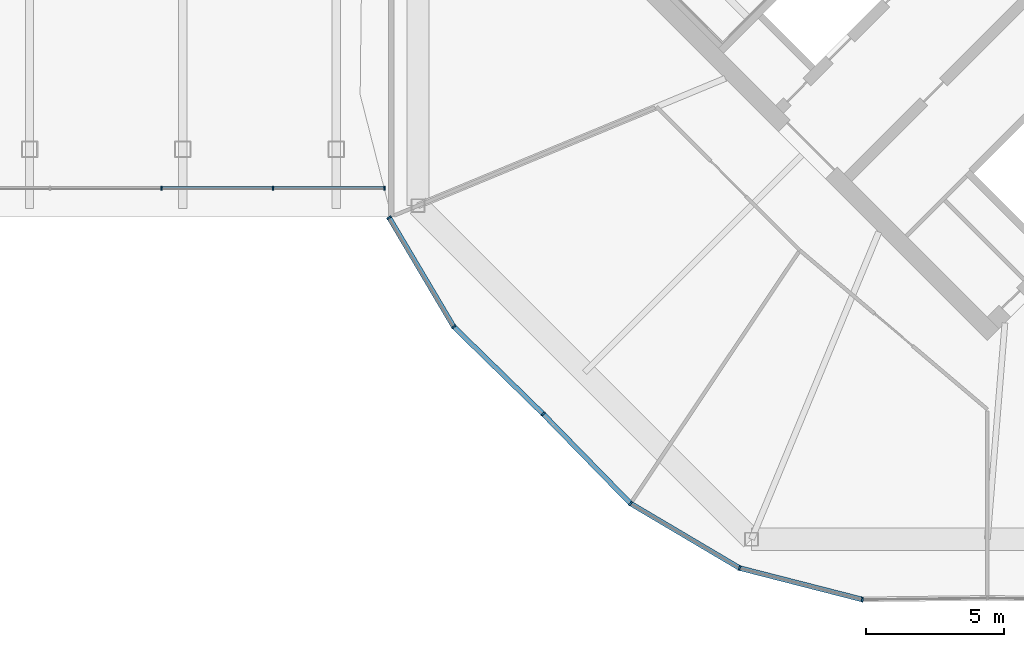
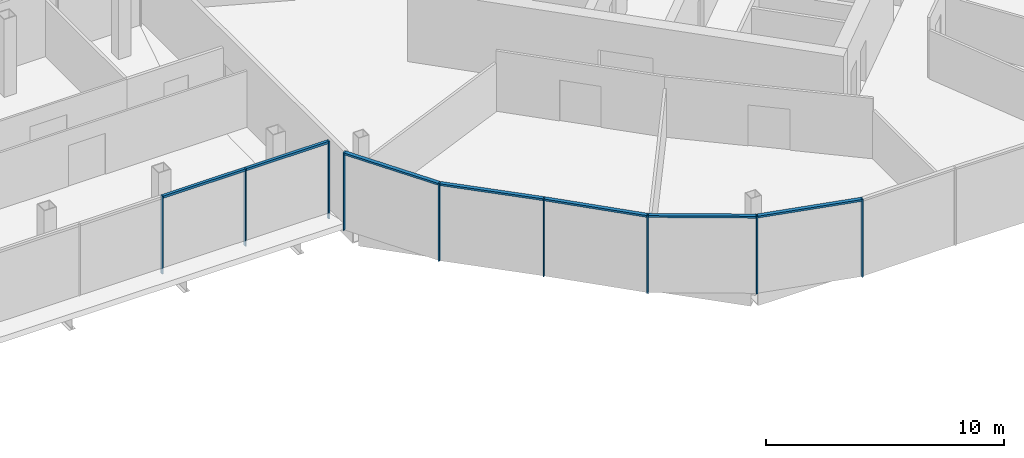
# One storey, part 11 of 25: 16 members, 3 elements without a shape of their own.
"""IFC4 building model written with IfcOpenShell, lengths in metres."""

from ifc_helpers import new_model, si_unit, direction, frame, origin, origin_2d, place, context, subcontext, project, spatial, rectangle, extrude, material, material_profile, profile_set, type_object, element, aggregate, save


model = new_model("IFC4")

# Units and contexts
model_context = context("Model", 3, precision=1e-05, world=origin(), true_north=direction((0.0, 1.0)))
body_context = subcontext(model_context, "Body", "Model", "MODEL_VIEW")
ifc_project = project(units=[si_unit("LENGTHUNIT", "METRE"), si_unit("AREAUNIT", "SQUARE_METRE"), si_unit("VOLUMEUNIT", "CUBIC_METRE"), si_unit("PLANEANGLEUNIT", "RADIAN"), si_unit("MASSUNIT", "GRAM", prefix="KILO")], contexts=[model_context])

# Site, building, storey
site_placement = place(None, origin())
site = spatial("IfcSite", under=ifc_project, at=site_placement, CompositionType="ELEMENT")
building_placement = place(site_placement, origin())
building = spatial("IfcBuilding", under=site, at=building_placement, Name="Ogive Gate Towers", CompositionType="ELEMENT")
storey_placement = place(building_placement, frame((0.0, 0.0, 140.800048828125)))
storey = spatial("IfcBuildingStorey", under=building, at=storey_placement, Name="L33", CompositionType="ELEMENT", Elevation=140.800048828125)

# Curtain wall, members
ifc_material = material(Name="Pale metal aluminium", Category="aluminium")
curtain_wall_type_1 = type_object("IfcCurtainWallType", Name="Gate block facade", PredefinedType="NOTDEFINED", material=ifc_material)
curtain_wall_1_placement = place(storey_placement, origin())
curtain_wall_1 = element("IfcCurtainWall", 1, at=curtain_wall_1_placement, inside=storey, type_object=curtain_wall_type_1, Name="CW3 BR ECW01", PredefinedType="NOTDEFINED")
ifc_material_profile_1 = material_profile(ifc_material, rectangle(XDim=0.139892578125, YDim=0.06005859375, at=origin_2d()), Name="60 x 140 aluminium box")
ifc_profile_set_1 = profile_set([ifc_material_profile_1], Name="Pale metal aluminium")
member_type_1 = type_object("IfcMemberType", Name="Gate block facade mullion 60 x 140", PredefinedType="MULLION", material=ifc_profile_set_1)
member_1_placement = place(storey_placement, frame((6.061279296875, -7.9169921875, -0.300048828125), z_axis=(0.0, 0.0, 1.0), x_axis=(0.0, -1.0, 0.0)))
member_1 = element("IfcMember", 2, at=member_1_placement, type_object=member_type_1, Name="CW3 mullion", PredefinedType="MULLION", context=body_context, shape_type="SweptSolid", body=[
    extrude(rectangle(XDim=0.139892578125, YDim=0.06005859375, at=origin_2d()), origin(), (0.0, 0.0, 1.0), 4.0),
])
member_2_placement = place(storey_placement, frame((10.102294921875, -7.9169921875, -0.300048828125), z_axis=(0.0, 0.0, 1.0), x_axis=(0.0, -1.0, 0.0)))
member_2 = element("IfcMember", 3, at=member_2_placement, type_object=member_type_1, Name="CW3 mullion", PredefinedType="MULLION", context=body_context, shape_type="SweptSolid", body=[
    extrude(rectangle(XDim=0.139892578125, YDim=0.06005859375, at=origin_2d()), origin(), (0.0, 0.0, 1.0), 4.0),
])
member_3_placement = place(storey_placement, frame((14.143310546875, -7.9169921875, -0.300048828125), z_axis=(0.0, 0.0, 1.0), x_axis=(0.0, -1.0, 0.0)))
member_3 = element("IfcMember", 4, at=member_3_placement, type_object=member_type_1, Name="CW3 mullion", PredefinedType="MULLION", context=body_context, shape_type="SweptSolid", body=[
    extrude(rectangle(XDim=0.139892578125, YDim=0.06005859375, at=origin_2d()), origin(), (0.0, 0.0, 1.0), 4.0),
])
ifc_material_profile_2 = material_profile(ifc_material, rectangle(XDim=0.139892578125, YDim=0.1201171875, at=origin_2d()), Name="120 x 140 aluminium box")
ifc_profile_set_2 = profile_set([ifc_material_profile_2], Name="Pale metal aluminium")
member_type_2 = type_object("IfcMemberType", Name="Gate block facade transom 120 x 140", PredefinedType="USERDEFINED", material=ifc_profile_set_2)
member_4_placement = place(storey_placement, frame((6.09130859375, -7.9169921875, 3.639892578125), z_axis=(1.0, 0.0, 0.0), x_axis=(0.0, 1.0, 0.0)))
member_4 = element("IfcMember", 5, at=member_4_placement, type_object=member_type_2, Name="CW3 transom", ObjectType="TRANSOM", PredefinedType="USERDEFINED", context=body_context, shape_type="SweptSolid", body=[
    extrude(rectangle(XDim=0.139892578125, YDim=0.1201171875, at=origin_2d()), origin(), (0.0, 0.0, 1.0), 3.981201171875),
])
member_5_placement = place(storey_placement, frame((10.13232421875, -7.9169921875, 3.639892578125), z_axis=(1.0, 0.0, 0.0), x_axis=(0.0, 1.0, 0.0)))
member_5 = element("IfcMember", 6, at=member_5_placement, type_object=member_type_2, Name="CW3 transom", ObjectType="TRANSOM", PredefinedType="USERDEFINED", context=body_context, shape_type="SweptSolid", body=[
    extrude(rectangle(XDim=0.139892578125, YDim=0.1201171875, at=origin_2d()), origin(), (0.0, 0.0, 1.0), 3.98095703125),
])
aggregate(curtain_wall_1, [member_1, member_2, member_4, member_3, member_5])

curtain_wall_type_2 = type_object("IfcCurtainWallType", Name="Tower unitised wall, high zone", PredefinedType="NOTDEFINED", material=ifc_material)
curtain_wall_2_placement = place(storey_placement, origin())
curtain_wall_2 = element("IfcCurtainWall", 7, at=curtain_wall_2_placement, inside=storey, type_object=curtain_wall_type_2, Name="CW2 T2 ECW05", PredefinedType="NOTDEFINED")
ifc_material_profile_3 = material_profile(ifc_material, rectangle(XDim=0.179931640625, YDim=0.06005859375, at=origin_2d()), Name="60 x 180 aluminium box")
ifc_profile_set_3 = profile_set([ifc_material_profile_3], Name="Pale metal aluminium")
member_type_3 = type_object("IfcMemberType", Name="Tower unitised wall, high zone mullion 60 x 180", PredefinedType="MULLION", material=ifc_profile_set_3)
member_6_placement = place(storey_placement, frame((14.31494140625, -8.980712890625, -0.300048828125), z_axis=(0.0, 0.0, 1.0), x_axis=(-0.860546505685, -0.509371879429, 0.0)))
member_6 = element("IfcMember", 8, at=member_6_placement, type_object=member_type_3, Name="CW2 mullion", PredefinedType="MULLION", context=body_context, shape_type="SweptSolid", body=[
    extrude(rectangle(XDim=0.179931640625, YDim=0.06005859375, at=origin_2d()), origin(), (0.0, 0.0, 1.0), 4.0),
])
member_7_placement = place(storey_placement, frame((16.655029296875, -12.93408203125, -0.300048828125), z_axis=(0.0, 0.0, 1.0), x_axis=(-0.786320782112, -0.617818442277, 0.0)))
member_7 = element("IfcMember", 9, at=member_7_placement, type_object=member_type_3, Name="CW2 mullion", PredefinedType="MULLION", context=body_context, shape_type="SweptSolid", body=[
    extrude(rectangle(XDim=0.179931640625, YDim=0.06005859375, at=origin_2d()), origin(), (0.0, 0.0, 1.0), 4.0),
])
member_8_placement = place(storey_placement, frame((19.899169921875, -16.1005859375, -0.300048828125), z_axis=(0.0, 0.0, 1.0), x_axis=(-0.69851520818, -0.715595209557, 0.0)))
member_8 = element("IfcMember", 10, at=member_8_placement, type_object=member_type_3, Name="CW2 mullion", PredefinedType="MULLION", context=body_context, shape_type="SweptSolid", body=[
    extrude(rectangle(XDim=0.179931640625, YDim=0.06005859375, at=origin_2d()), origin(), (0.0, 0.0, 1.0), 4.0),
])

curtain_wall_3_placement = place(storey_placement, origin())
curtain_wall_3 = element("IfcCurtainWall", 11, at=curtain_wall_3_placement, inside=storey, type_object=curtain_wall_type_2, Name="CW2 T2 ECW06", PredefinedType="NOTDEFINED")
member_9_placement = place(storey_placement, frame((23.06591796875, -19.344970703125, -0.300048828125), z_axis=(0.0, 0.0, 1.0), x_axis=(-0.617818442277, -0.786320782112, 0.0)))
member_9 = element("IfcMember", 12, at=member_9_placement, type_object=member_type_3, Name="CW2 mullion", PredefinedType="MULLION", context=body_context, shape_type="SweptSolid", body=[
    extrude(rectangle(XDim=0.179931640625, YDim=0.06005859375, at=origin_2d()), origin(), (0.0, 0.0, 1.0), 4.0),
])
member_10_placement = place(storey_placement, frame((27.01806640625, -21.684326171875, -0.300048828125), z_axis=(0.0, 0.0, 1.0), x_axis=(-0.382683432365, -0.923879532511, 0.0)))
member_10 = element("IfcMember", 13, at=member_10_placement, type_object=member_type_3, Name="CW2 mullion", PredefinedType="MULLION", context=body_context, shape_type="SweptSolid", body=[
    extrude(rectangle(XDim=0.179931640625, YDim=0.06005859375, at=origin_2d()), origin(), (0.0, 0.0, 1.0), 4.0),
])
member_11_placement = place(storey_placement, frame((31.467041015625, -22.824951171875, -0.300048828125), z_axis=(0.0, 0.0, 1.0), x_axis=(-0.119149147143, -0.992876367296, 0.0)))
member_11 = element("IfcMember", 14, at=member_11_placement, type_object=member_type_3, Name="CW2 mullion", PredefinedType="MULLION", context=body_context, shape_type="SweptSolid", body=[
    extrude(rectangle(XDim=0.179931640625, YDim=0.06005859375, at=origin_2d()), origin(), (0.0, 0.0, 1.0), 4.0),
])

# Member
ifc_material_profile_4 = material_profile(ifc_material, rectangle(XDim=0.179931640625, YDim=0.10009765625, at=origin_2d()), Name="100 x 180 aluminium box")
ifc_profile_set_4 = profile_set([ifc_material_profile_4], Name="Pale metal aluminium")
member_type_4 = type_object("IfcMemberType", Name="Tower unitised wall, high zone transom 100 x 180", PredefinedType="USERDEFINED", material=ifc_profile_set_4)
member_12_placement = place(storey_placement, frame((14.330322265625, -9.006591796875, 3.64990234375), z_axis=(0.509356692799, -0.860555494725, 0.0), x_axis=(0.860555494725, 0.509356692799, 0.0)))
member_12 = element("IfcMember", 15, at=member_12_placement, type_object=member_type_4, Name="CW2 transom", ObjectType="TRANSOM", PredefinedType="USERDEFINED", context=body_context, shape_type="SweptSolid", body=[
    extrude(rectangle(XDim=0.179931640625, YDim=0.10009765625, at=origin_2d()), origin(), (0.0, 0.0, 1.0), 4.53515625),
])

member_13_placement = place(storey_placement, frame((16.67578125, -12.9541015625, 3.64990234375), z_axis=(0.715567063029, -0.698544041781, 0.0), x_axis=(0.698544041781, 0.715567063029, 0.0)))
member_13 = element("IfcMember", 16, at=member_13_placement, type_object=member_type_4, Name="CW2 transom", ObjectType="TRANSOM", PredefinedType="USERDEFINED", context=body_context, shape_type="SweptSolid", body=[
    extrude(rectangle(XDim=0.179931640625, YDim=0.10009765625, at=origin_2d()), origin(), (0.0, 0.0, 1.0), 4.474609375),
])

aggregate(curtain_wall_2, [member_6, member_7, member_12, member_8, member_13])

member_14_placement = place(storey_placement, frame((19.920166015625, -16.122314453125, 3.64990234375), z_axis=(0.698544041781, -0.715567063029, 0.0), x_axis=(0.715567063029, 0.698544041781, 0.0)))
member_14 = element("IfcMember", 17, at=member_14_placement, type_object=member_type_4, Name="CW2 transom", ObjectType="TRANSOM", PredefinedType="USERDEFINED", context=body_context, shape_type="SweptSolid", body=[
    extrude(rectangle(XDim=0.179931640625, YDim=0.10009765625, at=origin_2d()), origin(), (0.0, 0.0, 1.0), 4.474609375),
])

member_15_placement = place(storey_placement, frame((23.090576171875, -19.359619140625, 3.64990234375), z_axis=(0.860555494725, -0.509356692799, 0.0), x_axis=(0.509356692799, 0.860555494725, 0.0)))
member_15 = element("IfcMember", 18, at=member_15_placement, type_object=member_type_4, Name="CW2 transom", ObjectType="TRANSOM", PredefinedType="USERDEFINED", context=body_context, shape_type="SweptSolid", body=[
    extrude(rectangle(XDim=0.179931640625, YDim=0.10009765625, at=origin_2d()), origin(), (0.0, 0.0, 1.0), 4.53515625),
])

member_16_placement = place(storey_placement, frame((27.045654296875, -21.69140625, 3.64990234375), z_axis=(0.968681463012, -0.248306711985, 0.0), x_axis=(0.248306711985, 0.968681463012, 0.0)))
member_16 = element("IfcMember", 19, at=member_16_placement, type_object=member_type_4, Name="CW2 transom", ObjectType="TRANSOM", PredefinedType="USERDEFINED", context=body_context, shape_type="SweptSolid", body=[
    extrude(rectangle(XDim=0.179931640625, YDim=0.10009765625, at=origin_2d()), origin(), (0.0, 0.0, 1.0), 4.53564453125),
])

aggregate(curtain_wall_3, [member_9, member_14, member_10, member_15, member_11, member_16])

save(model, "model.ifc")
